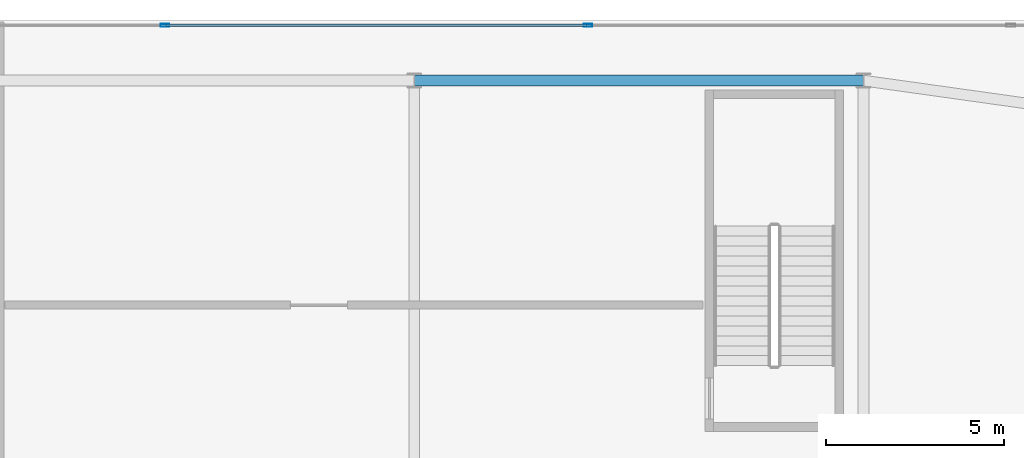
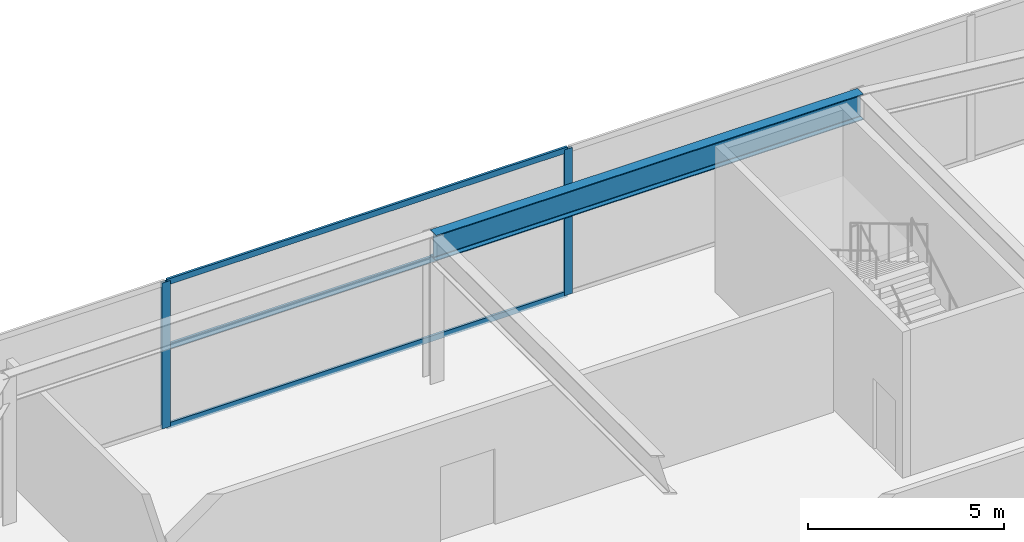
# One storey, part 19 of 30: 5 members, 1 beam, 1 element without a shape of its own.
"""IFC4 building model written with IfcOpenShell, lengths in metres."""

from ifc_helpers import new_model, si_unit, direction, frame, origin, origin_2d, place, context, subcontext, project, spatial, hollow_rectangle, i_section, extrude, material, layer, layer_set, material_profile, profile_set, type_object, element, aggregate, save


model = new_model("IFC4")

# Units and contexts
model_context = context("Model", 3, precision=1e-05, world=origin(), true_north=direction((0.0, 1.0)))
body_context = subcontext(model_context, "Body", "Model", "MODEL_VIEW")
ifc_project = project(units=[si_unit("LENGTHUNIT", "METRE"), si_unit("AREAUNIT", "SQUARE_METRE"), si_unit("VOLUMEUNIT", "CUBIC_METRE"), si_unit("PLANEANGLEUNIT", "RADIAN"), si_unit("MASSUNIT", "GRAM", prefix="KILO")], contexts=[model_context])

# Site, building, storey
site_placement = place(None, origin())
site = spatial("IfcSite", under=ifc_project, at=site_placement, CompositionType="ELEMENT")
building_placement = place(site_placement, origin())
building = spatial("IfcBuilding", under=site, at=building_placement, Name="Calvorn Quay Hotel", CompositionType="ELEMENT")
storey_placement = place(building_placement, frame((0.0, 0.0, 17.0)))
storey = spatial("IfcBuildingStorey", under=building, at=storey_placement, Name="L03", CompositionType="ELEMENT", Elevation=17.0)

# Beam
ifc_material_1 = material(Name="Steel Q390GJC", Category="steel")
ifc_material_profile_1 = material_profile(ifc_material_1, i_section(OverallWidth=0.300048828125, OverallDepth=0.800048828125, WebThickness=0.013916015625, FlangeThickness=0.02587890625, FilletRadius=0.02392578125, at=origin_2d()), Name="HN800x300x14x26")
ifc_profile_set_1 = profile_set([ifc_material_profile_1], Name="Steel Q390GJC")
beam_type = type_object("IfcBeamType", Name="BM-GIRD-POD", PredefinedType="BEAM", material=ifc_profile_set_1)
beam_placement = place(storey_placement, frame((45.0, 53.800048828125, 4.14990234375), z_axis=(1.0, 0.0, 0.0), x_axis=(0.0, 1.0, 0.0)))
element("IfcBeam", 1, at=beam_placement, inside=storey, type_object=beam_type, Name="Beam BG-L03-PN6", PredefinedType="BEAM", context=body_context, shape_type="SweptSolid", body=[
    extrude(i_section(OverallWidth=0.300048828125, OverallDepth=0.800048828125, WebThickness=0.013916015625, FlangeThickness=0.02587890625, FilletRadius=0.02392578125, at=origin_2d()), origin(), (0.0, 0.0, 1.0), 12.60009765625),
])

# Curtain wall, members
ifc_material_2 = material(Name="Pale Anodised Aluminium and Low-E Glass", Category="aluminium")
ifc_layer = layer(ifc_material_2, 0.219970703125)
ifc_layer_set = layer_set([ifc_layer], Name="CW-SYS-POD")
curtain_wall_type = type_object("IfcCurtainWallType", Name="CW-SYS-POD", PredefinedType="NOTDEFINED", material=ifc_layer_set)
curtain_wall_placement = place(storey_placement, origin())
curtain_wall = element("IfcCurtainWall", 2, at=curtain_wall_placement, inside=storey, type_object=curtain_wall_type, Name="Podium Curtain Wall L03-N1", PredefinedType="NOTDEFINED")
ifc_material_3 = material(Name="Pale Anodised Aluminium 6063-T6", Category="aluminium")
ifc_material_profile_2 = material_profile(ifc_material_3, hollow_rectangle(XDim=0.080078125, YDim=0.239990234375, WallThickness=0.0048828125, at=origin_2d()), Name="ALU-M240x80x5")
ifc_profile_set_2 = profile_set([ifc_material_profile_2], Name="Pale Anodised Aluminium 6063-T6")
member_type_1 = type_object("IfcMemberType", Name="CW-SYS-POD-MUL", PredefinedType="MULLION", material=ifc_profile_set_2)
member_1_placement = place(storey_placement, frame((38.0, 55.35009765625, 0.0), z_axis=(0.0, 0.0, 1.0), x_axis=(0.0, 1.0, 0.0)))
member_1 = element("IfcMember", 3, at=member_1_placement, type_object=member_type_1, Name="CW-L03-N1 mullion 4", PredefinedType="MULLION", context=body_context, shape_type="SweptSolid", body=[
    extrude(hollow_rectangle(XDim=0.080078125, YDim=0.239990234375, WallThickness=0.0048828125, at=origin_2d()), origin(), (0.0, 0.0, 1.0), 4.550048828125),
])
member_2_placement = place(storey_placement, frame((49.86669921875, 55.35009765625, 0.0), z_axis=(0.0, 0.0, 1.0), x_axis=(0.0, 1.0, 0.0)))
member_2 = element("IfcMember", 4, at=member_2_placement, type_object=member_type_1, Name="CW-L03-N1 mullion 5", PredefinedType="MULLION", context=body_context, shape_type="SweptSolid", body=[
    extrude(hollow_rectangle(XDim=0.080078125, YDim=0.239990234375, WallThickness=0.0048828125, at=origin_2d()), origin(), (0.0, 0.0, 1.0), 4.550048828125),
])
ifc_material_4 = material(Name="Pale Anodised Aluminium 6063-T6", Category="aluminium")
ifc_material_profile_3 = material_profile(ifc_material_4, hollow_rectangle(XDim=0.070068359375, YDim=0.179931640625, WallThickness=0.00390625, at=origin_2d()), Name="ALU-T180x70x4")
ifc_profile_set_3 = profile_set([ifc_material_profile_3], Name="Pale Anodised Aluminium 6063-T6")
member_type_2 = type_object("IfcMemberType", Name="CW-SYS-POD-TRN", PredefinedType="USERDEFINED", material=ifc_profile_set_3)
member_3_placement = place(storey_placement, frame((38.030029296875, 55.35009765625, 0.030029296875), z_axis=(1.0, 0.0, 0.0), x_axis=(0.0, 1.0, 0.0)))
member_3 = element("IfcMember", 5, at=member_3_placement, type_object=member_type_2, Name="CW-L03-N1 transom 4.1", ObjectType="TRANSOM", PredefinedType="USERDEFINED", context=body_context, shape_type="SweptSolid", body=[
    extrude(hollow_rectangle(XDim=0.070068359375, YDim=0.179931640625, WallThickness=0.00390625, at=origin_2d()), origin(), (0.0, 0.0, 1.0), 11.806640625),
])
member_4_placement = place(storey_placement, frame((38.030029296875, 55.35009765625, 2.5), z_axis=(1.0, 0.0, 0.0), x_axis=(0.0, 1.0, 0.0)))
member_4 = element("IfcMember", 6, at=member_4_placement, type_object=member_type_2, Name="CW-L03-N1 transom 4.2", ObjectType="TRANSOM", PredefinedType="USERDEFINED", context=body_context, shape_type="SweptSolid", body=[
    extrude(hollow_rectangle(XDim=0.070068359375, YDim=0.179931640625, WallThickness=0.00390625, at=origin_2d()), origin(), (0.0, 0.0, 1.0), 11.806640625),
])
member_5_placement = place(storey_placement, frame((38.030029296875, 55.35009765625, 4.52001953125), z_axis=(1.0, 0.0, 0.0), x_axis=(0.0, 1.0, 0.0)))
member_5 = element("IfcMember", 7, at=member_5_placement, type_object=member_type_2, Name="CW-L03-N1 transom 4.3", ObjectType="TRANSOM", PredefinedType="USERDEFINED", context=body_context, shape_type="SweptSolid", body=[
    extrude(hollow_rectangle(XDim=0.070068359375, YDim=0.179931640625, WallThickness=0.00390625, at=origin_2d()), origin(), (0.0, 0.0, 1.0), 11.806640625),
])
aggregate(curtain_wall, [member_1, member_2, member_3, member_4, member_5])

save(model, "model.ifc")
